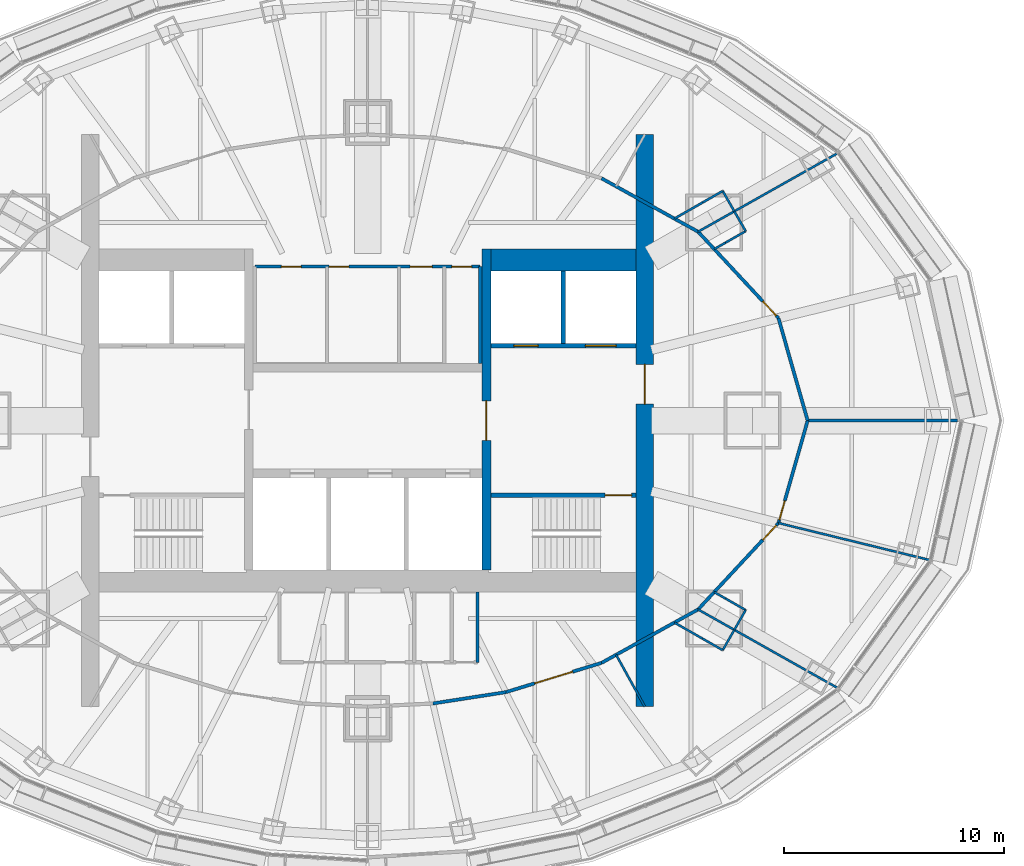
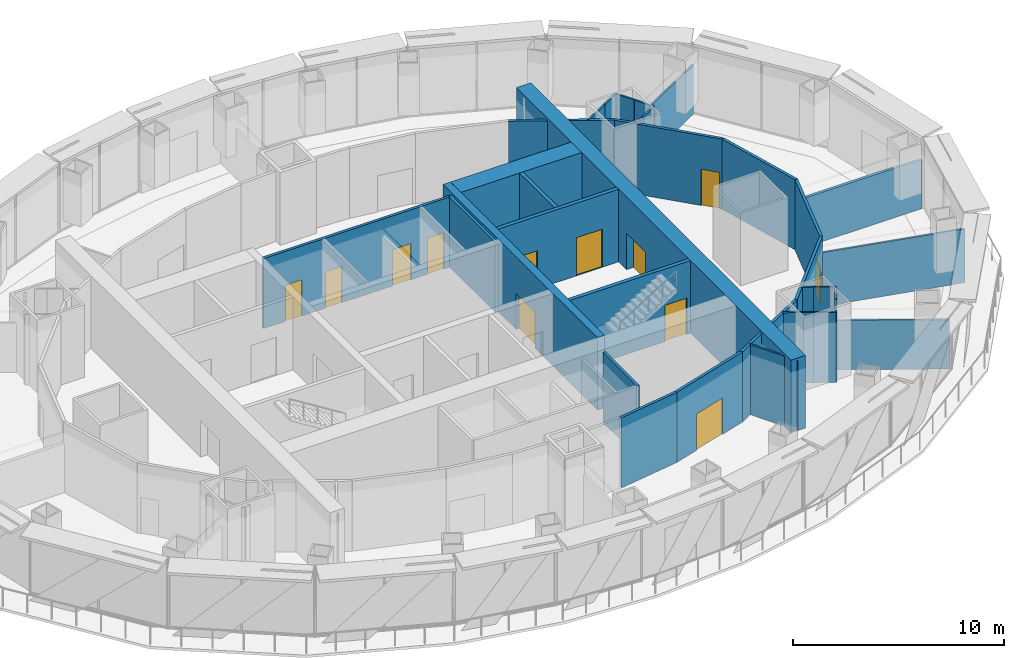
# One storey, part 12 of 17: 34 walls, 13 doors, 13 openings.
"""IFC4 building model written with IfcOpenShell, lengths in metres."""

from ifc_helpers import new_model, si_unit, direction, frame, frame_2d, origin, place, context, subcontext, project, spatial, rectangle, extrude, material, layer, layer_set, type_object, element, fill, save


model = new_model("IFC4")

# Units and contexts
model_context = context("Model", 3, precision=1e-05, world=origin(), true_north=direction((0.0, 1.0)))
body_context = subcontext(model_context, "Body", "Model", "MODEL_VIEW")
ifc_project = project(units=[si_unit("LENGTHUNIT", "METRE"), si_unit("AREAUNIT", "SQUARE_METRE"), si_unit("VOLUMEUNIT", "CUBIC_METRE"), si_unit("PLANEANGLEUNIT", "RADIAN"), si_unit("MASSUNIT", "GRAM", prefix="KILO")], contexts=[model_context])

# Site, building, storey
site_placement = place(None, origin())
site = spatial("IfcSite", under=ifc_project, at=site_placement, CompositionType="ELEMENT")
building_placement = place(site_placement, origin())
building = spatial("IfcBuilding", under=site, at=building_placement, Name="Lantaw Convention Tower", CompositionType="ELEMENT")
storey_placement = place(building_placement, frame((0.0, 0.0, 199.0)))
storey = spatial("IfcBuildingStorey", under=building, at=storey_placement, Name="L46", CompositionType="ELEMENT", Elevation=199.0)

# Walls
ifc_material_1 = material(Name="Fire-rated board casing on steel studs", Category="steel")
ifc_layer_1 = layer(ifc_material_1, 0.10009765625)
ifc_layer_set_1 = layer_set([ifc_layer_1], Name="Casing wall 100 EI 120")
wall_type_1 = type_object("IfcWallType", Name="Casing wall 100 EI 120", PredefinedType="PARTITIONING", material=ifc_layer_set_1)
wall_1_placement = place(storey_placement, frame((16.140625, -10.4326171875, 0.0), z_axis=(0.0, 0.0, 1.0), x_axis=(-0.868214523334, 0.496189017888, 0.0)))
element("IfcWall", 1, at=wall_1_placement, inside=storey, type_object=wall_type_1, Name="Casing wall 100", PredefinedType="PARTITIONING", context=body_context, shape_type="SweptSolid", body=[
    extrude(rectangle(XDim=1.050048828125, YDim=0.10009765625, at=frame_2d((0.52490234375, 0.0))), origin(), (0.0, 0.0, 1.0), 4.050048828125),
])
wall_2_placement = place(storey_placement, frame((15.22900390625, -9.91162109375, 0.0), z_axis=(0.0, 0.0, 1.0), x_axis=(-0.868243142124, 0.496138938357, 0.0)))
element("IfcWall", 2, at=wall_2_placement, inside=storey, type_object=wall_type_1, Name="Casing wall 100", PredefinedType="PARTITIONING", context=body_context, shape_type="SweptSolid", body=[
    extrude(rectangle(XDim=1.478271484375, YDim=0.10009765625, at=frame_2d((0.7392578125, 0.0))), origin(), (0.0, 0.0, 1.0), 4.050048828125),
])
wall_3_placement = place(storey_placement, frame((15.755126953125, -7.793701171875, 0.0), z_axis=(0.0, 0.0, 1.0), x_axis=(0.868318998063, -0.496006166901, 0.0)))
element("IfcWall", 3, at=wall_3_placement, inside=storey, type_object=wall_type_1, Name="Casing wall 100", PredefinedType="PARTITIONING", context=body_context, shape_type="SweptSolid", body=[
    extrude(rectangle(XDim=0.593994140625, YDim=0.10009765625, at=frame_2d((0.296875, 0.0))), origin(), (0.0, 0.0, 1.0), 4.050048828125),
])
wall_4_placement = place(storey_placement, frame((16.27099609375, -8.08837890625, 0.0), z_axis=(0.0, 0.0, 1.0), x_axis=(0.868214523334, -0.496189017888, 0.0)))
element("IfcWall", 4, at=wall_4_placement, inside=storey, type_object=wall_type_1, Name="Casing wall 100", PredefinedType="PARTITIONING", context=body_context, shape_type="SweptSolid", body=[
    extrude(rectangle(XDim=1.050048828125, YDim=0.10009765625, at=frame_2d((0.52490234375, 0.0))), origin(), (0.0, 0.0, 1.0), 4.050048828125),
])
wall_5_placement = place(storey_placement, frame((17.1826171875, -8.609375, 0.0), z_axis=(0.0, 0.0, 1.0), x_axis=(-0.496214951439, -0.868199701664, 0.0)))
element("IfcWall", 5, at=wall_5_placement, inside=storey, type_object=wall_type_1, Name="Casing wall 100", PredefinedType="PARTITIONING", context=body_context, shape_type="SweptSolid", body=[
    extrude(rectangle(XDim=1.03759765625, YDim=0.10009765625, at=frame_2d((0.518798828125, 0.0))), origin(), (0.0, 0.0, 1.0), 4.050048828125),
])
for number, where, z_axis, x_axis, name in (
    (6, (16.66162109375, -9.52099609375, 0.0), (0.0, 0.0, 1.0), (-0.496189017888, -0.868214523334, 0.0), "Casing wall 100"),
    (7, (17.1826171875, 8.609375, 0.0), (0.0, 0.0, 1.0), (-0.868214523334, -0.496189017888, 0.0), "Casing wall 100"),
):
    element("IfcWall", number, at=place(storey_placement, frame(where, z_axis=z_axis, x_axis=x_axis)), inside=storey, type_object=wall_type_1, Name=name, PredefinedType="PARTITIONING", context=body_context, shape_type="SweptSolid", body=[
        extrude(rectangle(XDim=1.050048828125, YDim=0.10009765625, at=frame_2d((0.52490234375, 0.0))), origin(), (0.0, 0.0, 1.0), 4.050048828125),
    ])
wall_6_placement = place(storey_placement, frame((16.27099609375, 8.08837890625, 0.0), z_axis=(0.0, 0.0, 1.0), x_axis=(-0.868318998063, -0.496006166901, 0.0)))
element("IfcWall", 8, at=wall_6_placement, inside=storey, type_object=wall_type_1, Name="Casing wall 100", PredefinedType="PARTITIONING", context=body_context, shape_type="SweptSolid", body=[
    extrude(rectangle(XDim=0.593994140625, YDim=0.10009765625, at=frame_2d((0.296875, 0.0))), origin(), (0.0, 0.0, 1.0), 4.050048828125),
])
wall_7_placement = place(storey_placement, frame((13.945556640625, 9.17822265625, 0.0), z_axis=(0.0, 0.0, 1.0), x_axis=(0.868243142124, 0.496138938357, 0.0)))
element("IfcWall", 9, at=wall_7_placement, inside=storey, type_object=wall_type_1, Name="Casing wall 100", PredefinedType="PARTITIONING", context=body_context, shape_type="SweptSolid", body=[
    extrude(rectangle(XDim=1.478271484375, YDim=0.10009765625, at=frame_2d((0.7392578125, 0.0))), origin(), (0.0, 0.0, 1.0), 4.050048828125),
])
for number, where, z_axis, x_axis, name in (
    (10, (15.22900390625, 9.91162109375, 0.0), (0.0, 0.0, 1.0), (0.868214523334, 0.496189017888, 0.0), "Casing wall 100"),
    (11, (16.140625, 10.4326171875, 0.0), (0.0, 0.0, 1.0), (0.496189017888, -0.868214523334, 0.0), "Casing wall 100"),
):
    element("IfcWall", number, at=place(storey_placement, frame(where, z_axis=z_axis, x_axis=x_axis)), inside=storey, type_object=wall_type_1, Name=name, PredefinedType="PARTITIONING", context=body_context, shape_type="SweptSolid", body=[
        extrude(rectangle(XDim=1.050048828125, YDim=0.10009765625, at=frame_2d((0.52490234375, 0.0))), origin(), (0.0, 0.0, 1.0), 4.050048828125),
    ])
wall_8_placement = place(storey_placement, frame((16.667724609375, 9.51025390625, 0.0), z_axis=(0.0, 0.0, 1.0), x_axis=(0.496214951439, -0.868199701664, 0.0)))
element("IfcWall", 12, at=wall_8_placement, inside=storey, type_object=wall_type_1, Name="Casing wall 100", PredefinedType="PARTITIONING", context=body_context, shape_type="SweptSolid", body=[
    extrude(rectangle(XDim=1.03759765625, YDim=0.10009765625, at=frame_2d((0.518798828125, 0.0))), origin(), (0.0, 0.0, 1.0), 4.050048828125),
])
ifc_material_2 = material(Name="Concrete C60/75", Category="concrete")
ifc_layer_2 = layer(ifc_material_2, 1.0)
ifc_layer_set_2 = layer_set([ifc_layer_2], Name="Core wall 1000")
wall_type_2 = type_object("IfcWallType", Name="Core wall 1000", PredefinedType="SHEAR", material=ifc_layer_set_2)
wall_9_placement = place(storey_placement, frame((12.199951171875, 7.300048828125, 0.0), z_axis=(0.0, 0.0, 1.0), x_axis=(-1.0, 0.0, 0.0)))
element("IfcWall", 13, at=wall_9_placement, inside=storey, type_object=wall_type_2, Name="Core wall NE", PredefinedType="SHEAR", context=body_context, shape_type="SweptSolid", body=[
    extrude(rectangle(XDim=6.599853515625, YDim=1.0, at=frame_2d((3.2998046875, 0.0))), origin(), (0.0, 0.0, 1.0), 4.199951171875),
])

# Wall, opening, door
ifc_layer_3 = layer(ifc_material_2, 0.199951171875)
ifc_layer_set_3 = layer_set([ifc_layer_3], Name="Core wall 200")
wall_type_3 = type_object("IfcWallType", Name="Core wall 200", PredefinedType="SHEAR", material=ifc_layer_set_3)
wall_10_placement = place(storey_placement, frame((5.60009765625, -3.39990234375, 0.0), z_axis=(0.0, 0.0, 1.0), x_axis=(1.0, 0.0, 0.0)))
wall_10 = element("IfcWall", 14, at=wall_10_placement, inside=storey, type_object=wall_type_3, Name="Core wall ES", PredefinedType="SHEAR", context=body_context, shape_type="SweptSolid", body=[
    extrude(rectangle(XDim=6.599853515625, YDim=0.199951171875, at=frame_2d((3.2998046875, 0.0))), origin(), (0.0, 0.0, 1.0), 4.199951171875),
])
opening_1_placement = place(wall_10_placement, frame((5.199951171875, 0.0, 0.0)))
opening_1 = element("IfcOpeningElement", 15, at=opening_1_placement, cuts=wall_10, Name="Opening L46.03", PredefinedType="OPENING", context=body_context, shape_type="SweptSolid", body=[
    extrude(rectangle(XDim=1.199951171875, YDim=2.10009765625, at=frame_2d((0.60009765625, 1.050048828125))), frame((0.0, 0.10986328125, 0.0), z_axis=(0.0, -1.0, 0.0), x_axis=(1.0, 0.0, 0.0)), (0.0, 0.0, 1.0), 0.219970703125),
])
ifc_material_3 = material(Name="Steel, fire rated", Category="steel")
door_type_1 = type_object("IfcDoorType", Name="Stair door FD90", OperationType="SINGLE_SWING_RIGHT", PredefinedType="DOOR", material=ifc_material_3)
door_1_placement = place(opening_1_placement, origin())
door_1 = element("IfcDoor", 16, at=door_1_placement, inside=storey, type_object=door_type_1, Name="Exit stair door", OperationType="SINGLE_SWING_RIGHT", OverallHeight=2.10009765625, OverallWidth=1.199951171875, PredefinedType="DOOR", context=body_context, shape_type="SweptSolid", body=[
    extrude(rectangle(XDim=1.199951171875, YDim=2.10009765625, at=frame_2d((0.60009765625, 1.050048828125))), frame((0.0, 0.02490234375, 0.0), z_axis=(0.0, -1.0, 0.0), x_axis=(1.0, 0.0, 0.0)), (0.0, 0.0, 1.0), 0.050048828125),
])
fill(opening_1, door_1)

ifc_layer_4 = layer(ifc_material_2, 0.39990234375)
ifc_layer_set_4 = layer_set([ifc_layer_4], Name="Core wall 400")
wall_type_4 = type_object("IfcWallType", Name="Core wall 400", PredefinedType="SHEAR", material=ifc_layer_set_4)
wall_11_placement = place(storey_placement, frame((5.39990234375, -6.800048828125, 0.0), z_axis=(0.0, 0.0, 1.0), x_axis=(0.0, 1.0, 0.0)))
wall_11 = element("IfcWall", 17, at=wall_11_placement, inside=storey, type_object=wall_type_4, Name="Core wall XE", PredefinedType="SHEAR", context=body_context, shape_type="SweptSolid", body=[
    extrude(rectangle(XDim=14.60009765625, YDim=0.39990234375, at=frame_2d((7.300048828125, 0.0))), origin(), (0.0, 0.0, 1.0), 4.199951171875),
])
opening_2_placement = place(wall_11_placement, frame((5.89990234375, 0.0, 0.0)))
opening_2 = element("IfcOpeningElement", 18, at=opening_2_placement, cuts=wall_11, Name="Opening L46.01", PredefinedType="OPENING", context=body_context, shape_type="SweptSolid", body=[
    extrude(rectangle(XDim=1.800048828125, YDim=2.10009765625, at=frame_2d((0.89990234375, 1.050048828125))), frame((0.0, 0.2099609375, 0.0), z_axis=(0.0, -1.0, 0.0), x_axis=(1.0, 0.0, 0.0)), (0.0, 0.0, 1.0), 0.419921875),
])
door_type_2 = type_object("IfcDoorType", Name="Lobby double door FD90", OperationType="DOUBLE_DOOR_DOUBLE_SWING", PredefinedType="DOOR", material=ifc_material_3)
door_2_placement = place(opening_2_placement, origin())
door_2 = element("IfcDoor", 19, at=door_2_placement, inside=storey, type_object=door_type_2, Name="Lift lobby door", OperationType="DOUBLE_DOOR_DOUBLE_SWING", OverallHeight=2.10009765625, OverallWidth=1.800048828125, PredefinedType="DOOR", context=body_context, shape_type="SweptSolid", body=[
    extrude(rectangle(XDim=1.800048828125, YDim=2.10009765625, at=frame_2d((0.89990234375, 1.050048828125))), frame((0.0, 0.02490234375, 0.0), z_axis=(0.0, -1.0, 0.0), x_axis=(1.0, 0.0, 0.0)), (0.0, 0.0, 1.0), 0.050048828125),
])
fill(opening_2, door_2)

ifc_layer_5 = layer(ifc_material_2, 0.800048828125)
ifc_layer_set_5 = layer_set([ifc_layer_5], Name="Core wall 800")
wall_type_5 = type_object("IfcWallType", Name="Core wall 800", PredefinedType="SHEAR", material=ifc_layer_set_5)
wall_12_placement = place(storey_placement, frame((12.60009765625, -13.0, 0.0), z_axis=(0.0, 0.0, 1.0), x_axis=(0.0, 1.0, 0.0)))
wall_12 = element("IfcWall", 20, at=wall_12_placement, inside=storey, type_object=wall_type_5, Name="Core wall E", PredefinedType="SHEAR", context=body_context, shape_type="SweptSolid", body=[
    extrude(rectangle(XDim=26.0, YDim=0.800048828125, at=frame_2d((13.0, 0.0))), origin(), (0.0, 0.0, 1.0), 4.199951171875),
])
opening_3_placement = place(wall_12_placement, frame((13.75, 0.0, 0.0)))
opening_3 = element("IfcOpeningElement", 21, at=opening_3_placement, cuts=wall_12, Name="Opening L46.05", PredefinedType="OPENING", context=body_context, shape_type="SweptSolid", body=[
    extrude(rectangle(XDim=1.800048828125, YDim=2.10009765625, at=frame_2d((0.89990234375, 1.050048828125))), frame((0.0, 0.409912109375, 0.0), z_axis=(0.0, -1.0, 0.0), x_axis=(1.0, 0.0, 0.0)), (0.0, 0.0, 1.0), 0.820068359375),
])
door_3_placement = place(opening_3_placement, origin())
door_3 = element("IfcDoor", 22, at=door_3_placement, inside=storey, type_object=door_type_2, Name="Firefighting lobby door", OperationType="DOUBLE_DOOR_DOUBLE_SWING", OverallHeight=2.10009765625, OverallWidth=1.800048828125, PredefinedType="DOOR", context=body_context, shape_type="SweptSolid", body=[
    extrude(rectangle(XDim=1.800048828125, YDim=2.10009765625, at=frame_2d((0.89990234375, 1.050048828125))), frame((0.0, 0.02490234375, 0.0), z_axis=(0.0, -1.0, 0.0), x_axis=(1.0, 0.0, 0.0)), (0.0, 0.0, 1.0), 0.050048828125),
])
fill(opening_3, door_3)

# Wall
ifc_material_4 = material(Name="Gypsum board on steel studs, fire rated", Category="steel")
ifc_layer_6 = layer(ifc_material_4, 0.14990234375)
ifc_layer_set_6 = layer_set([ifc_layer_6], Name="Corridor wall 150 EI 60")
wall_type_6 = type_object("IfcWallType", Name="Corridor wall 150 EI 60", PredefinedType="PARTITIONING", material=ifc_layer_set_6)
wall_13_placement = place(storey_placement, frame((20.0, 0.0, 0.0), z_axis=(0.0, 0.0, 1.0), x_axis=(-0.274041669067, 0.961717819121, 0.0)))
element("IfcWall", 23, at=wall_13_placement, inside=storey, type_object=wall_type_6, Name="Corridor wall 150", PredefinedType="PARTITIONING", context=body_context, shape_type="SweptSolid", body=[
    extrude(rectangle(XDim=4.841064453125, YDim=0.14990234375, at=frame_2d((2.42041015625, 0.0))), origin(), (0.0, 0.0, 1.0), 4.050048828125),
])

# Wall, opening, door
wall_14_placement = place(storey_placement, frame((18.67333984375, 4.65576171875, 0.0), z_axis=(0.0, 0.0, 1.0), x_axis=(-0.681014838837, 0.732269615158, 0.0)))
wall_14 = element("IfcWall", 24, at=wall_14_placement, inside=storey, type_object=wall_type_6, Name="Corridor wall 150", PredefinedType="PARTITIONING", context=body_context, shape_type="SweptSolid", body=[
    extrude(rectangle(XDim=5.363525390625, YDim=0.14990234375, at=frame_2d((2.681640625, 0.0))), origin(), (0.0, 0.0, 1.0), 4.050048828125),
])
opening_4_placement = place(wall_14_placement, frame((0.14990234375, 0.0, 0.0)))
opening_4 = element("IfcOpeningElement", 25, at=opening_4_placement, cuts=wall_14, Name="Opening L46.22", PredefinedType="OPENING", context=body_context, shape_type="SweptSolid", body=[
    extrude(rectangle(XDim=0.89990234375, YDim=2.10009765625, at=frame_2d((0.449951171875, 1.050048828125))), frame((0.0, 0.0849609375, 0.0), z_axis=(0.0, -1.0, 0.0), x_axis=(1.0, 0.0, 0.0)), (0.0, 0.0, 1.0), 0.169921875),
])
door_type_3 = type_object("IfcDoorType", Name="Office door 900 FD30", OperationType="SINGLE_SWING_LEFT", PredefinedType="DOOR", material=ifc_material_3)
door_4_placement = place(opening_4_placement, origin())
door_4 = element("IfcDoor", 26, at=door_4_placement, inside=storey, type_object=door_type_3, Name="Open office door", OperationType="SINGLE_SWING_LEFT", OverallHeight=2.10009765625, OverallWidth=0.89990234375, PredefinedType="DOOR", context=body_context, shape_type="SweptSolid", body=[
    extrude(rectangle(XDim=0.89990234375, YDim=2.10009765625, at=frame_2d((0.449951171875, 1.050048828125))), frame((0.0, 0.02490234375, 0.0), z_axis=(0.0, -1.0, 0.0), x_axis=(1.0, 0.0, 0.0)), (0.0, 0.0, 1.0), 0.050048828125),
])
fill(opening_4, door_4)

# Walls
wall_15_placement = place(storey_placement, frame((15.020751953125, 8.583251953125, 0.0), z_axis=(0.0, 0.0, 1.0), x_axis=(-0.875044572696, 0.484042349176, 0.0)))
element("IfcWall", 27, at=wall_15_placement, inside=storey, type_object=wall_type_6, Name="Corridor wall 150", PredefinedType="PARTITIONING", context=body_context, shape_type="SweptSolid", body=[
    extrude(rectangle(XDim=5.0146484375, YDim=0.14990234375, at=frame_2d((2.50732421875, 0.0))), origin(), (0.0, 0.0, 1.0), 4.050048828125),
])
wall_16_placement = place(storey_placement, frame((2.968017578125, -12.85595703125, 0.0), z_axis=(0.0, 0.0, 1.0), x_axis=(0.988174283057, 0.153334882869, 0.0)))
element("IfcWall", 28, at=wall_16_placement, inside=storey, type_object=wall_type_6, Name="Corridor wall 150", PredefinedType="PARTITIONING", context=body_context, shape_type="SweptSolid", body=[
    extrude(rectangle(XDim=3.359619140625, YDim=0.14990234375, at=frame_2d((1.6796875, 0.0))), origin(), (0.0, 0.0, 1.0), 4.050048828125),
])

# Wall, opening, door
wall_17_placement = place(storey_placement, frame((6.287841796875, -12.3408203125, 0.0), z_axis=(0.0, 0.0, 1.0), x_axis=(0.956185837153, 0.292760388079, 0.0)))
wall_17 = element("IfcWall", 29, at=wall_17_placement, inside=storey, type_object=wall_type_6, Name="Corridor wall 150", PredefinedType="PARTITIONING", context=body_context, shape_type="SweptSolid", body=[
    extrude(rectangle(XDim=4.5439453125, YDim=0.14990234375, at=frame_2d((2.27197265625, 0.0))), origin(), (0.0, 0.0, 1.0), 4.050048828125),
])
opening_5_placement = place(wall_17_placement, frame((1.3720703125, 0.0, 0.0)))
opening_5 = element("IfcOpeningElement", 30, at=opening_5_placement, cuts=wall_17, Name="Opening L46.28", PredefinedType="OPENING", context=body_context, shape_type="SweptSolid", body=[
    extrude(rectangle(XDim=1.800048828125, YDim=2.10009765625, at=frame_2d((0.89990234375, 1.050048828125))), frame((0.0, 0.0849609375, 0.0), z_axis=(0.0, -1.0, 0.0), x_axis=(1.0, 0.0, 0.0)), (0.0, 0.0, 1.0), 0.169921875),
])
door_type_4 = type_object("IfcDoorType", Name="Office double door 1800 FD30", OperationType="DOUBLE_DOOR_DOUBLE_SWING", PredefinedType="DOOR", material=ifc_material_3)
door_5_placement = place(opening_5_placement, origin())
door_5 = element("IfcDoor", 31, at=door_5_placement, inside=storey, type_object=door_type_4, Name="Open office door", OperationType="DOUBLE_DOOR_DOUBLE_SWING", OverallHeight=2.10009765625, OverallWidth=1.800048828125, PredefinedType="DOOR", context=body_context, shape_type="SweptSolid", body=[
    extrude(rectangle(XDim=1.800048828125, YDim=2.10009765625, at=frame_2d((0.89990234375, 1.050048828125))), frame((0.0, 0.02490234375, 0.0), z_axis=(0.0, -1.0, 0.0), x_axis=(1.0, 0.0, 0.0)), (0.0, 0.0, 1.0), 0.050048828125),
])
fill(opening_5, door_5)

# Wall
wall_18_placement = place(storey_placement, frame((10.6328125, -11.010498046875, 0.0), z_axis=(0.0, 0.0, 1.0), x_axis=(0.875044572696, 0.484042349176, 0.0)))
element("IfcWall", 32, at=wall_18_placement, inside=storey, type_object=wall_type_6, Name="Corridor wall 150", PredefinedType="PARTITIONING", context=body_context, shape_type="SweptSolid", body=[
    extrude(rectangle(XDim=5.0146484375, YDim=0.14990234375, at=frame_2d((2.50732421875, 0.0))), origin(), (0.0, 0.0, 1.0), 4.050048828125),
])

# Wall, opening, door
wall_19_placement = place(storey_placement, frame((15.020751953125, -8.583251953125, 0.0), z_axis=(0.0, 0.0, 1.0), x_axis=(0.681014838837, 0.732269615158, 0.0)))
wall_19 = element("IfcWall", 33, at=wall_19_placement, inside=storey, type_object=wall_type_6, Name="Corridor wall 150", PredefinedType="PARTITIONING", context=body_context, shape_type="SweptSolid", body=[
    extrude(rectangle(XDim=5.363525390625, YDim=0.14990234375, at=frame_2d((2.681640625, 0.0))), origin(), (0.0, 0.0, 1.0), 4.050048828125),
])
opening_6_placement = place(wall_19_placement, frame((4.3134765625, 0.0, 0.0)))
opening_6 = element("IfcOpeningElement", 34, at=opening_6_placement, cuts=wall_19, Name="Opening L46.29", PredefinedType="OPENING", context=body_context, shape_type="SweptSolid", body=[
    extrude(rectangle(XDim=0.89990234375, YDim=2.10009765625, at=frame_2d((0.449951171875, 1.050048828125))), frame((0.0, 0.0849609375, 0.0), z_axis=(0.0, -1.0, 0.0), x_axis=(1.0, 0.0, 0.0)), (0.0, 0.0, 1.0), 0.169921875),
])
door_6_placement = place(opening_6_placement, origin())
door_6 = element("IfcDoor", 35, at=door_6_placement, inside=storey, type_object=door_type_3, Name="Pantry door", OperationType="SINGLE_SWING_LEFT", OverallHeight=2.10009765625, OverallWidth=0.89990234375, PredefinedType="DOOR", context=body_context, shape_type="SweptSolid", body=[
    extrude(rectangle(XDim=0.89990234375, YDim=2.10009765625, at=frame_2d((0.449951171875, 1.050048828125))), frame((0.0, 0.02490234375, 0.0), z_axis=(0.0, -1.0, 0.0), x_axis=(1.0, 0.0, 0.0)), (0.0, 0.0, 1.0), 0.050048828125),
])
fill(opening_6, door_6)

wall_20_placement = place(storey_placement, frame((18.67333984375, -4.65576171875, 0.0), z_axis=(0.0, 0.0, 1.0), x_axis=(0.274041669067, 0.961717819121, 0.0)))
wall_20 = element("IfcWall", 36, at=wall_20_placement, inside=storey, type_object=wall_type_6, Name="Corridor wall 150", PredefinedType="PARTITIONING", context=body_context, shape_type="SweptSolid", body=[
    extrude(rectangle(XDim=4.841064453125, YDim=0.14990234375, at=frame_2d((2.42041015625, 0.0))), origin(), (0.0, 0.0, 1.0), 4.050048828125),
])
opening_7_placement = place(wall_20_placement, frame((0.14990234375, 0.0, 0.0)))
opening_7 = element("IfcOpeningElement", 37, at=opening_7_placement, cuts=wall_20, Name="Opening L46.30", PredefinedType="OPENING", context=body_context, shape_type="SweptSolid", body=[
    extrude(rectangle(XDim=0.89990234375, YDim=2.10009765625, at=frame_2d((0.449951171875, 1.050048828125))), frame((0.0, 0.0849609375, 0.0), z_axis=(0.0, -1.0, 0.0), x_axis=(1.0, 0.0, 0.0)), (0.0, 0.0, 1.0), 0.169921875),
])
door_7_placement = place(opening_7_placement, origin())
door_7 = element("IfcDoor", 38, at=door_7_placement, inside=storey, type_object=door_type_3, Name="Meeting room door", OperationType="SINGLE_SWING_LEFT", OverallHeight=2.10009765625, OverallWidth=0.89990234375, PredefinedType="DOOR", context=body_context, shape_type="SweptSolid", body=[
    extrude(rectangle(XDim=0.89990234375, YDim=2.10009765625, at=frame_2d((0.449951171875, 1.050048828125))), frame((0.0, 0.02490234375, 0.0), z_axis=(0.0, -1.0, 0.0), x_axis=(1.0, 0.0, 0.0)), (0.0, 0.0, 1.0), 0.050048828125),
])
fill(opening_7, door_7)

# Walls
ifc_material_5 = material(Name="Gypsum board on steel studs, acoustic", Category="steel")
ifc_layer_7 = layer(ifc_material_5, 0.10009765625)
ifc_layer_set_7 = layer_set([ifc_layer_7], Name="Office partition 100")
wall_type_7 = type_object("IfcWallType", Name="Office partition 100", PredefinedType="PARTITIONING", material=ifc_layer_set_7)
for number, where, z_axis, x_axis, name in (
    (39, (21.3583984375, 12.149658203125, 0.0), (0.0, 0.0, 1.0), (-0.871488555694, -0.490415841195, 0.0), "Office partition 100"),
    (40, (21.3583984375, -12.149658203125, 0.0), (0.0, 0.0, 1.0), (-0.871488555694, 0.490415841195, 0.0), "Office partition 100"),
):
    element("IfcWall", number, at=place(storey_placement, frame(where, z_axis=z_axis, x_axis=x_axis)), inside=storey, type_object=wall_type_7, Name=name, PredefinedType="PARTITIONING", context=body_context, shape_type="SweptSolid", body=[
        extrude(rectangle(XDim=7.272216796875, YDim=0.10009765625, at=frame_2d((3.63623046875, 0.0))), origin(), (0.0, 0.0, 1.0), 2.85009765625),
    ])
wall_21_placement = place(storey_placement, frame((25.54296875, -6.33544921875, 0.0), z_axis=(0.0, 0.0, 1.0), x_axis=(-0.971384494438, 0.237512450129, 0.0)))
element("IfcWall", 41, at=wall_21_placement, inside=storey, type_object=wall_type_7, Name="Office partition 100", PredefinedType="PARTITIONING", context=body_context, shape_type="SweptSolid", body=[
    extrude(rectangle(XDim=7.072021484375, YDim=0.10009765625, at=frame_2d((3.5361328125, 0.0))), origin(), (0.0, 0.0, 1.0), 3.107666015625),
])
wall_22_placement = place(storey_placement, frame((12.60009765625, -13.0, 0.0), z_axis=(0.0, 0.0, 1.0), x_axis=(-0.484102737563, 0.875011165348, 0.0)))
element("IfcWall", 42, at=wall_22_placement, inside=storey, type_object=wall_type_7, Name="Office partition 100", PredefinedType="PARTITIONING", context=body_context, shape_type="SweptSolid", body=[
    extrude(rectangle(XDim=2.693115234375, YDim=0.10009765625, at=frame_2d((1.3466796875, 0.0))), origin(), (0.0, 0.0, 1.0), 4.050048828125),
])

# Wall, openings, doors
ifc_material_6 = material(Name="Concrete blockwork, fire rated", Category="masonry")
ifc_layer_8 = layer(ifc_material_6, 0.199951171875)
ifc_layer_set_8 = layer_set([ifc_layer_8], Name="Shaft wall 200")
wall_type_8 = type_object("IfcWallType", Name="Shaft wall 200", PredefinedType="SOLIDWALL", material=ifc_layer_set_8)
wall_23_placement = place(storey_placement, frame((12.199951171875, 3.39990234375, 0.0), z_axis=(0.0, 0.0, 1.0), x_axis=(-1.0, 0.0, 0.0)))
wall_23 = element("IfcWall", 43, at=wall_23_placement, inside=storey, type_object=wall_type_8, Name="Shaft wall EN", PredefinedType="SOLIDWALL", context=body_context, shape_type="SweptSolid", body=[
    extrude(rectangle(XDim=6.599853515625, YDim=0.199951171875, at=frame_2d((3.2998046875, 0.0))), origin(), (0.0, 0.0, 1.0), 4.199951171875),
])
opening_8_placement = place(wall_23_placement, frame((4.449951171875, 0.0, 0.0)))
opening_8 = element("IfcOpeningElement", 44, at=opening_8_placement, cuts=wall_23, Name="Opening L46.12", PredefinedType="OPENING", context=body_context, shape_type="SweptSolid", body=[
    extrude(rectangle(XDim=1.10009765625, YDim=2.199951171875, at=frame_2d((0.550048828125, 1.10009765625))), frame((0.0, 0.10986328125, 0.0), z_axis=(0.0, -1.0, 0.0), x_axis=(1.0, 0.0, 0.0)), (0.0, 0.0, 1.0), 0.219970703125),
])
opening_9_placement = place(wall_23_placement, frame((0.89990234375, 0.0, 0.0)))
opening_9 = element("IfcOpeningElement", 45, at=opening_9_placement, cuts=wall_23, Name="Opening L46.13", PredefinedType="OPENING", context=body_context, shape_type="SweptSolid", body=[
    extrude(rectangle(XDim=1.39990234375, YDim=2.199951171875, at=frame_2d((0.699951171875, 1.10009765625))), frame((0.0, 0.10986328125, 0.0), z_axis=(0.0, -1.0, 0.0), x_axis=(1.0, 0.0, 0.0)), (0.0, 0.0, 1.0), 0.219970703125),
])
ifc_material_7 = material(Name="Stainless steel", Category="steel")
door_type_5 = type_object("IfcDoorType", Name="Lift landing door 1100", OperationType="DOUBLE_DOOR_SLIDING", PredefinedType="DOOR", material=ifc_material_7)
door_8_placement = place(opening_8_placement, origin())
door_8 = element("IfcDoor", 46, at=door_8_placement, inside=storey, type_object=door_type_5, Name="Lift landing door FF2", OperationType="DOUBLE_DOOR_SLIDING", OverallHeight=2.199951171875, OverallWidth=1.10009765625, PredefinedType="DOOR", context=body_context, shape_type="SweptSolid", body=[
    extrude(rectangle(XDim=1.10009765625, YDim=2.199951171875, at=frame_2d((0.550048828125, 1.10009765625))), frame((0.0, 0.02490234375, 0.0), z_axis=(0.0, -1.0, 0.0), x_axis=(1.0, 0.0, 0.0)), (0.0, 0.0, 1.0), 0.050048828125),
])
fill(opening_8, door_8)
door_type_6 = type_object("IfcDoorType", Name="Lift landing door 1400", OperationType="DOUBLE_DOOR_SLIDING", PredefinedType="DOOR", material=ifc_material_7)
door_9_placement = place(opening_9_placement, origin())
door_9 = element("IfcDoor", 47, at=door_9_placement, inside=storey, type_object=door_type_6, Name="Lift landing door SV2", OperationType="DOUBLE_DOOR_SLIDING", OverallHeight=2.199951171875, OverallWidth=1.39990234375, PredefinedType="DOOR", context=body_context, shape_type="SweptSolid", body=[
    extrude(rectangle(XDim=1.39990234375, YDim=2.199951171875, at=frame_2d((0.699951171875, 1.10009765625))), frame((0.0, 0.02490234375, 0.0), z_axis=(0.0, -1.0, 0.0), x_axis=(1.0, 0.0, 0.0)), (0.0, 0.0, 1.0), 0.050048828125),
])
fill(opening_9, door_9)

# Walls
wall_24_placement = place(storey_placement, frame((8.89990234375, 3.5, 0.0), z_axis=(0.0, 0.0, 1.0), x_axis=(0.0, 1.0, 0.0)))
element("IfcWall", 48, at=wall_24_placement, inside=storey, type_object=wall_type_8, Name="Shaft wall ED", PredefinedType="SOLIDWALL", context=body_context, shape_type="SweptSolid", body=[
    extrude(rectangle(XDim=3.300048828125, YDim=0.199951171875, at=frame_2d((1.64990234375, 0.0))), origin(), (0.0, 0.0, 1.0), 4.199951171875),
])
ifc_layer_9 = layer(ifc_material_4, 0.14990234375)
ifc_layer_set_9 = layer_set([ifc_layer_9], Name="Tenant separation wall 150 EI 60")
wall_type_9 = type_object("IfcWallType", Name="Tenant separation wall 150 EI 60", PredefinedType="PARTITIONING", material=ifc_layer_set_9)
wall_25_placement = place(storey_placement, frame((26.82080078125, 0.0, 0.0), z_axis=(0.0, 0.0, 1.0), x_axis=(-1.0, 0.0, 0.0)))
element("IfcWall", 49, at=wall_25_placement, inside=storey, type_object=wall_type_9, Name="Tenant separation wall 150", PredefinedType="PARTITIONING", context=body_context, shape_type="SweptSolid", body=[
    extrude(rectangle(XDim=6.82080078125, YDim=0.14990234375, at=frame_2d((3.410400390625, 0.0))), origin(), (0.0, 0.0, 1.0), 2.85009765625),
])

# Wall, openings, doors
ifc_material_8 = material(Name="Concrete blockwork", Category="masonry")
ifc_layer_10 = layer(ifc_material_8, 0.14990234375)
ifc_layer_set_10 = layer_set([ifc_layer_10], Name="WC wall 150")
wall_type_10 = type_object("IfcWallType", Name="WC wall 150", PredefinedType="SOLIDWALL", material=ifc_layer_set_10)
wall_26_placement = place(storey_placement, frame((-5.1201171875, 7.0, 0.0), z_axis=(0.0, 0.0, 1.0), x_axis=(1.0, 0.0, 0.0)))
wall_26 = element("IfcWall", 50, at=wall_26_placement, inside=storey, type_object=wall_type_10, Name="WC wall 150", PredefinedType="SOLIDWALL", context=body_context, shape_type="SweptSolid", body=[
    extrude(rectangle(XDim=10.240234375, YDim=0.14990234375, at=frame_2d((5.1201171875, 0.0))), origin(), (0.0, 0.0, 1.0), 4.050048828125),
])
opening_10_placement = place(wall_26_placement, frame((1.199951171875, 0.0, 0.0)))
opening_10 = element("IfcOpeningElement", 51, at=opening_10_placement, cuts=wall_26, Name="Opening L46.14", PredefinedType="OPENING", context=body_context, shape_type="SweptSolid", body=[
    extrude(rectangle(XDim=0.89990234375, YDim=2.10009765625, at=frame_2d((0.449951171875, 1.050048828125))), frame((0.0, 0.0849609375, 0.0), z_axis=(0.0, -1.0, 0.0), x_axis=(1.0, 0.0, 0.0)), (0.0, 0.0, 1.0), 0.169921875),
])
opening_11_placement = place(wall_26_placement, frame((3.376708984375, 0.0, 0.0)))
opening_11 = element("IfcOpeningElement", 52, at=opening_11_placement, cuts=wall_26, Name="Opening L46.15", PredefinedType="OPENING", context=body_context, shape_type="SweptSolid", body=[
    extrude(rectangle(XDim=0.89990234375, YDim=2.10009765625, at=frame_2d((0.449951171875, 1.050048828125))), frame((0.0, 0.0849609375, 0.0), z_axis=(0.0, -1.0, 0.0), x_axis=(1.0, 0.0, 0.0)), (0.0, 0.0, 1.0), 0.169921875),
])
opening_12_placement = place(wall_26_placement, frame((7.0537109375, 0.0, 0.0)))
opening_12 = element("IfcOpeningElement", 53, at=opening_12_placement, cuts=wall_26, Name="Opening L46.16", PredefinedType="OPENING", context=body_context, shape_type="SweptSolid", body=[
    extrude(rectangle(XDim=1.0, YDim=2.10009765625, at=frame_2d((0.5, 1.050048828125))), frame((0.0, 0.0849609375, 0.0), z_axis=(0.0, -1.0, 0.0), x_axis=(1.0, 0.0, 0.0)), (0.0, 0.0, 1.0), 0.169921875),
])
opening_13_placement = place(wall_26_placement, frame((8.95166015625, 0.0, 0.0)))
opening_13 = element("IfcOpeningElement", 54, at=opening_13_placement, cuts=wall_26, Name="Opening L46.17", PredefinedType="OPENING", context=body_context, shape_type="SweptSolid", body=[
    extrude(rectangle(XDim=0.89990234375, YDim=2.10009765625, at=frame_2d((0.449951171875, 1.050048828125))), frame((0.0, 0.0849609375, 0.0), z_axis=(0.0, -1.0, 0.0), x_axis=(1.0, 0.0, 0.0)), (0.0, 0.0, 1.0), 0.169921875),
])
ifc_material_9 = material(Name="Timber", Category="wood")
door_type_7 = type_object("IfcDoorType", Name="Accessible WC door 1000", OperationType="SINGLE_SWING_LEFT", PredefinedType="DOOR", material=ifc_material_9)
door_10_placement = place(opening_12_placement, origin())
door_10 = element("IfcDoor", 55, at=door_10_placement, inside=storey, type_object=door_type_7, Name="Accessible WC door", OperationType="SINGLE_SWING_LEFT", OverallHeight=2.10009765625, OverallWidth=1.0, PredefinedType="DOOR", context=body_context, shape_type="SweptSolid", body=[
    extrude(rectangle(XDim=1.0, YDim=2.10009765625, at=frame_2d((0.5, 1.050048828125))), frame((0.0, 0.02490234375, 0.0), z_axis=(0.0, -1.0, 0.0), x_axis=(1.0, 0.0, 0.0)), (0.0, 0.0, 1.0), 0.050048828125),
])
fill(opening_12, door_10)
door_type_8 = type_object("IfcDoorType", Name="WC door 900", OperationType="SINGLE_SWING_LEFT", PredefinedType="DOOR", material=ifc_material_9)
door_11_placement = place(opening_10_placement, origin())
door_11 = element("IfcDoor", 56, at=door_11_placement, inside=storey, type_object=door_type_8, Name="Female WC door", OperationType="SINGLE_SWING_LEFT", OverallHeight=2.10009765625, OverallWidth=0.89990234375, PredefinedType="DOOR", context=body_context, shape_type="SweptSolid", body=[
    extrude(rectangle(XDim=0.89990234375, YDim=2.10009765625, at=frame_2d((0.449951171875, 1.050048828125))), frame((0.0, 0.02490234375, 0.0), z_axis=(0.0, -1.0, 0.0), x_axis=(1.0, 0.0, 0.0)), (0.0, 0.0, 1.0), 0.050048828125),
])
fill(opening_10, door_11)
door_12_placement = place(opening_11_placement, origin())
door_12 = element("IfcDoor", 57, at=door_12_placement, inside=storey, type_object=door_type_8, Name="Male WC door", OperationType="SINGLE_SWING_LEFT", OverallHeight=2.10009765625, OverallWidth=0.89990234375, PredefinedType="DOOR", context=body_context, shape_type="SweptSolid", body=[
    extrude(rectangle(XDim=0.89990234375, YDim=2.10009765625, at=frame_2d((0.449951171875, 1.050048828125))), frame((0.0, 0.02490234375, 0.0), z_axis=(0.0, -1.0, 0.0), x_axis=(1.0, 0.0, 0.0)), (0.0, 0.0, 1.0), 0.050048828125),
])
fill(opening_11, door_12)
door_13_placement = place(opening_13_placement, origin())
door_13 = element("IfcDoor", 58, at=door_13_placement, inside=storey, type_object=door_type_8, Name="Cleaner's store door", OperationType="SINGLE_SWING_LEFT", OverallHeight=2.10009765625, OverallWidth=0.89990234375, PredefinedType="DOOR", context=body_context, shape_type="SweptSolid", body=[
    extrude(rectangle(XDim=0.89990234375, YDim=2.10009765625, at=frame_2d((0.449951171875, 1.050048828125))), frame((0.0, 0.02490234375, 0.0), z_axis=(0.0, -1.0, 0.0), x_axis=(1.0, 0.0, 0.0)), (0.0, 0.0, 1.0), 0.050048828125),
])
fill(opening_13, door_13)

# Walls
wall_27_placement = place(storey_placement, frame((5.1201171875, 2.60009765625, 0.0), z_axis=(0.0, 0.0, 1.0), x_axis=(0.0, 1.0, 0.0)))
element("IfcWall", 59, at=wall_27_placement, inside=storey, type_object=wall_type_10, Name="WC wall 150", PredefinedType="SOLIDWALL", context=body_context, shape_type="SweptSolid", body=[
    extrude(rectangle(XDim=4.39990234375, YDim=0.14990234375, at=frame_2d((2.199951171875, 0.0))), origin(), (0.0, 0.0, 1.0), 4.050048828125),
])
wall_28_placement = place(storey_placement, frame((5.0, -7.800048828125, 0.0), z_axis=(0.0, 0.0, 1.0), x_axis=(0.0, -1.0, 0.0)))
element("IfcWall", 60, at=wall_28_placement, inside=storey, type_object=wall_type_10, Name="WC wall 150", PredefinedType="SOLIDWALL", context=body_context, shape_type="SweptSolid", body=[
    extrude(rectangle(XDim=3.18701171875, YDim=0.14990234375, at=frame_2d((1.593505859375, 0.0))), origin(), (0.0, 0.0, 1.0), 4.050048828125),
])

save(model, "model.ifc")
